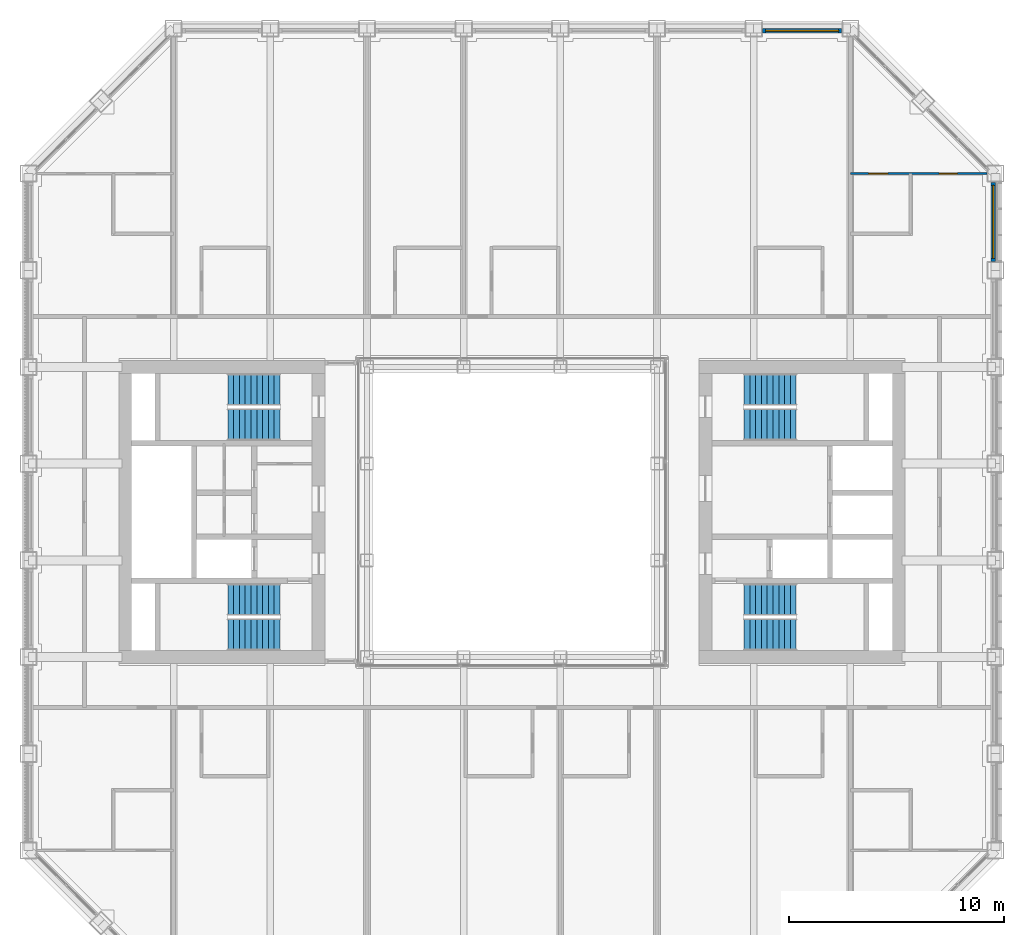
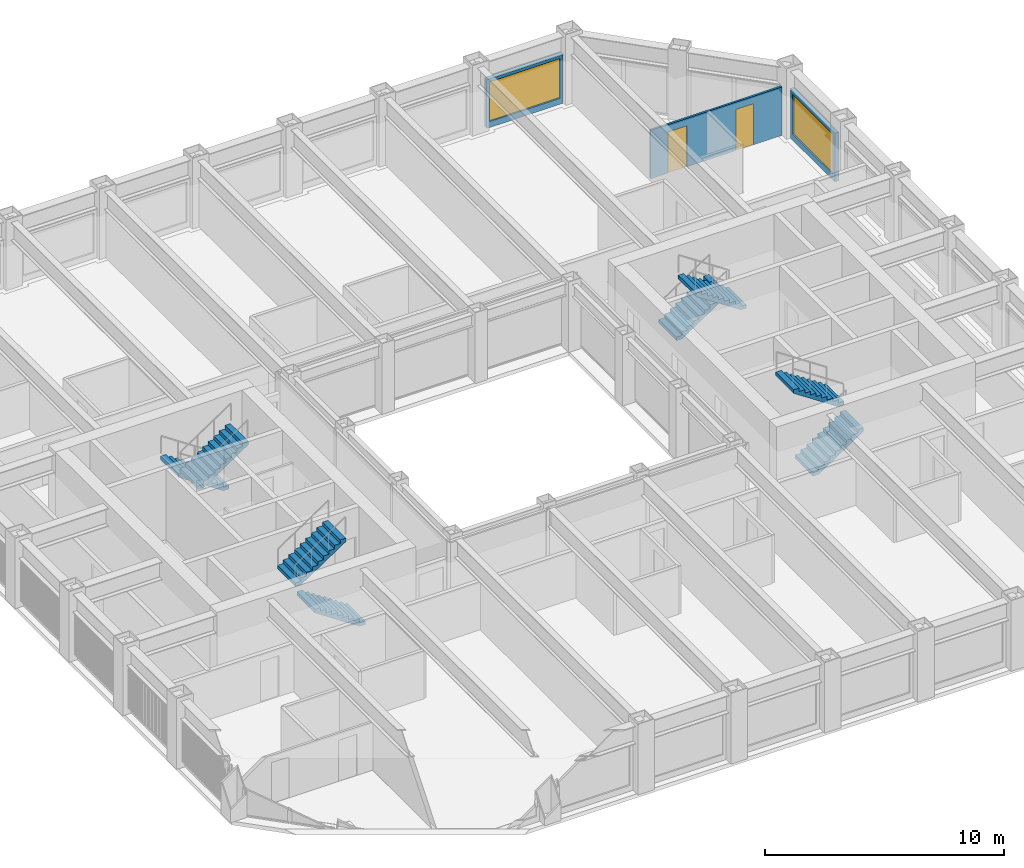
# One storey, part 14 of 17: 8 stair flights, 3 walls, 2 doors, 2 windows, 4 openings, 4 elements without a shape of their own.
"""IFC4 building model written with IfcOpenShell, lengths in metres."""

from ifc_helpers import new_model, si_unit, direction, frame, frame_2d, origin, place, context, subcontext, project, spatial, polyline, rectangle, outline, extrude, material, layer, layer_set, type_object, element, fill, aggregate, save


model = new_model("IFC4")

# Units and contexts
model_context = context("Model", 3, precision=1e-05, world=origin(), true_north=direction((0.0, 1.0)))
body_context = subcontext(model_context, "Body", "Model", "MODEL_VIEW")
ifc_project = project(units=[si_unit("LENGTHUNIT", "METRE"), si_unit("AREAUNIT", "SQUARE_METRE"), si_unit("VOLUMEUNIT", "CUBIC_METRE"), si_unit("PLANEANGLEUNIT", "RADIAN"), si_unit("MASSUNIT", "GRAM", prefix="KILO")], contexts=[model_context])

# Site, building, storey
site_placement = place(None, origin())
site = spatial("IfcSite", under=ifc_project, at=site_placement, CompositionType="ELEMENT")
building_placement = place(site_placement, origin())
building = spatial("IfcBuilding", under=site, at=building_placement, Name="Msasa Ring Tower", CompositionType="ELEMENT")
storey_placement = place(building_placement, frame((0.0, 0.0, 168.800048828125)))
storey = spatial("IfcBuildingStorey", under=building, at=storey_placement, Name="L44", CompositionType="ELEMENT", Elevation=168.800048828125)

# Wall, opening, window
ifc_material_1 = material(Name="Terracotta rainscreen on blockwork", Category="masonry")
ifc_layer_1 = layer(ifc_material_1, 0.199951171875)
ifc_layer_set_1 = layer_set([ifc_layer_1], Name="FW1 TERRACOTTA-LINED INFILL BAY WALL 200")
wall_type_1 = type_object("IfcWallType", Name="FW1 TERRACOTTA-LINED INFILL BAY WALL 200", PredefinedType="SOLIDWALL", material=ifc_layer_set_1)
wall_1_placement = place(storey_placement, frame((22.39990234375, 11.655029296875, 0.0), z_axis=(0.0, 0.0, 1.0), x_axis=(0.0, 1.0, 0.0)))
wall_1 = element("IfcWall", 1, at=wall_1_placement, inside=storey, type_object=wall_type_1, Name="Infill bay wall E L44 15", PredefinedType="SOLIDWALL", context=body_context, shape_type="SweptSolid", body=[
    extrude(rectangle(XDim=3.68994140625, YDim=0.199951171875, at=frame_2d((1.844970703125, 0.0))), origin(), (0.0, 0.0, 1.0), 2.47900390625),
])
opening_1_placement = place(wall_1_placement, frame((0.14501953125, 0.0, 0.300048828125)))
opening_1 = element("IfcOpeningElement", 2, at=opening_1_placement, cuts=wall_1, Name="Opening WN2", PredefinedType="OPENING", context=body_context, shape_type="SweptSolid", body=[
    extrude(rectangle(XDim=3.39990234375, YDim=2.029052734375, at=frame_2d((1.699951171875, 1.0146484375))), frame((0.0, 0.10986328125, 0.0), z_axis=(0.0, -1.0, 0.0), x_axis=(1.0, 0.0, 0.0)), (0.0, 0.0, 1.0), 0.219970703125),
])
ifc_material_2 = material(Name="Aluminium frame with clear glass", Category="aluminium")
window_type = type_object("IfcWindowType", Name="WN2 GUEST ROOM WINDOW 3400x2029", PartitioningType="SINGLE_PANEL", PredefinedType="WINDOW", material=ifc_material_2)
window_1_placement = place(opening_1_placement, origin())
window_1 = element("IfcWindow", 3, at=window_1_placement, inside=storey, type_object=window_type, Name="Window E L44 15", OverallHeight=2.029052734375, OverallWidth=3.39990234375, PartitioningType="SINGLE_PANEL", PredefinedType="WINDOW", context=body_context, shape_type="SweptSolid", body=[
    extrude(rectangle(XDim=3.39990234375, YDim=2.029052734375, at=frame_2d((1.699951171875, 1.0146484375))), frame((0.0, 0.030029296875, 0.0), z_axis=(0.0, -1.0, 0.0), x_axis=(1.0, 0.0, 0.0)), (0.0, 0.0, 1.0), 0.06005859375),
])
fill(opening_1, window_1)

wall_2_placement = place(storey_placement, frame((11.655029296875, 22.39990234375, 0.0), z_axis=(0.0, 0.0, 1.0), x_axis=(1.0, 0.0, 0.0)))
wall_2 = element("IfcWall", 4, at=wall_2_placement, inside=storey, type_object=wall_type_1, Name="Infill bay wall N L44 24", PredefinedType="SOLIDWALL", context=body_context, shape_type="SweptSolid", body=[
    extrude(rectangle(XDim=3.68994140625, YDim=0.199951171875, at=frame_2d((1.844970703125, 0.0))), origin(), (0.0, 0.0, 1.0), 2.47900390625),
])
opening_2_placement = place(wall_2_placement, frame((0.14501953125, 0.0, 0.300048828125)))
opening_2 = element("IfcOpeningElement", 5, at=opening_2_placement, cuts=wall_2, Name="Opening WN2", PredefinedType="OPENING", context=body_context, shape_type="SweptSolid", body=[
    extrude(rectangle(XDim=3.39990234375, YDim=2.029052734375, at=frame_2d((1.699951171875, 1.0146484375))), frame((0.0, 0.10986328125, 0.0), z_axis=(0.0, -1.0, 0.0), x_axis=(1.0, 0.0, 0.0)), (0.0, 0.0, 1.0), 0.219970703125),
])
window_2_placement = place(opening_2_placement, origin())
window_2 = element("IfcWindow", 6, at=window_2_placement, inside=storey, type_object=window_type, Name="Window N L44 24", OverallHeight=2.029052734375, OverallWidth=3.39990234375, PartitioningType="SINGLE_PANEL", PredefinedType="WINDOW", context=body_context, shape_type="SweptSolid", body=[
    extrude(rectangle(XDim=3.39990234375, YDim=2.029052734375, at=frame_2d((1.699951171875, 1.0146484375))), frame((0.0, 0.030029296875, 0.0), z_axis=(0.0, -1.0, 0.0), x_axis=(1.0, 0.0, 0.0)), (0.0, 0.0, 1.0), 0.06005859375),
])
fill(opening_2, window_2)

# Wall, openings, doors
ifc_material_3 = material(Name="Gypsum board on steel studs", Category="steel")
ifc_layer_2 = layer(ifc_material_3, 0.10009765625)
ifc_layer_set_2 = layer_set([ifc_layer_2], Name="PT2 STUD PARTITION 100")
wall_type_2 = type_object("IfcWallType", Name="PT2 STUD PARTITION 100", PredefinedType="PARTITIONING", material=ifc_layer_set_2)
wall_3_placement = place(storey_placement, frame((15.75, 15.75, 0.0), z_axis=(0.0, 0.0, 1.0), x_axis=(1.0, 0.0, 0.0)))
wall_3 = element("IfcWall", 7, at=wall_3_placement, inside=storey, type_object=wall_type_2, Name="Partition L44-CSNEX", PredefinedType="PARTITIONING", context=body_context, shape_type="SweptSolid", body=[
    extrude(rectangle(XDim=6.35009765625, YDim=0.10009765625, at=frame_2d((3.175048828125, 0.0))), origin(), (0.0, 0.0, 1.0), 2.473388671875),
])
opening_3_placement = place(wall_3_placement, frame((4.125, 0.0, 0.0)))
opening_3 = element("IfcOpeningElement", 8, at=opening_3_placement, cuts=wall_3, Name="Opening HE-004", PredefinedType="OPENING", context=body_context, shape_type="SweptSolid", body=[
    extrude(rectangle(XDim=0.85009765625, YDim=2.10009765625, at=frame_2d((0.425048828125, 1.050048828125))), frame((0.0, 0.06005859375, 0.0), z_axis=(0.0, -1.0, 0.0), x_axis=(1.0, 0.0, 0.0)), (0.0, 0.0, 1.0), 0.1201171875),
])
opening_4_placement = place(wall_3_placement, frame((0.85009765625, 0.0, 0.0)))
opening_4 = element("IfcOpeningElement", 9, at=opening_4_placement, cuts=wall_3, Name="Opening HE-003", PredefinedType="OPENING", context=body_context, shape_type="SweptSolid", body=[
    extrude(rectangle(XDim=0.89990234375, YDim=2.10009765625, at=frame_2d((0.449951171875, 1.050048828125))), frame((0.0, 0.06005859375, 0.0), z_axis=(0.0, -1.0, 0.0), x_axis=(1.0, 0.0, 0.0)), (0.0, 0.0, 1.0), 0.1201171875),
])
ifc_material_4 = material(Name="Timber door leaf in a steel frame", Category="steel")
door_type_1 = type_object("IfcDoorType", Name="D14 BEDROOM DOOR 850x2100", OperationType="SINGLE_SWING_LEFT", PredefinedType="DOOR", material=ifc_material_4)
door_1_placement = place(opening_3_placement, origin())
door_1 = element("IfcDoor", 10, at=door_1_placement, inside=storey, type_object=door_type_1, Name="Door L44-CSNER1", OperationType="SINGLE_SWING_RIGHT", OverallHeight=2.10009765625, OverallWidth=0.85009765625, PredefinedType="DOOR", context=body_context, shape_type="SweptSolid", body=[
    extrude(rectangle(XDim=0.85009765625, YDim=2.10009765625, at=frame_2d((0.425048828125, 1.050048828125))), frame((0.0, 0.02490234375, 0.0), z_axis=(0.0, -1.0, 0.0), x_axis=(1.0, 0.0, 0.0)), (0.0, 0.0, 1.0), 0.050048828125),
])
fill(opening_3, door_1)
ifc_material_5 = material(Name="Timber door leaf in a steel frame", Category="steel")
door_type_2 = type_object("IfcDoorType", Name="D3 BATHROOM DOOR 900x2100", OperationType="SINGLE_SWING_LEFT", PredefinedType="DOOR", material=ifc_material_5)
door_2_placement = place(opening_4_placement, origin())
door_2 = element("IfcDoor", 11, at=door_2_placement, inside=storey, type_object=door_type_2, Name="Door L44-CSNEB1", OperationType="SINGLE_SWING_LEFT", OverallHeight=2.10009765625, OverallWidth=0.89990234375, PredefinedType="DOOR", context=body_context, shape_type="SweptSolid", body=[
    extrude(rectangle(XDim=0.89990234375, YDim=2.10009765625, at=frame_2d((0.449951171875, 1.050048828125))), frame((0.0, 0.02490234375, 0.0), z_axis=(0.0, -1.0, 0.0), x_axis=(1.0, 0.0, 0.0)), (0.0, 0.0, 1.0), 0.050048828125),
])
fill(opening_4, door_2)

# Stair, stair flights
ifc_material_6 = material(Name="Concrete C40/50", Category="concrete")
stair_type = type_object("IfcStairType", Name="STC CORE STAIR 20 RISERS 180", PredefinedType="HALF_TURN_STAIR", material=ifc_material_6)
stair_1_placement = place(storey_placement, origin())
stair_1 = element("IfcStair", 12, at=stair_1_placement, inside=storey, type_object=stair_type, Name="Core stair SEA L44", PredefinedType="HALF_TURN_STAIR")
ifc_material_7 = material(Name="Concrete C40/50", Category="concrete")
stair_flight_type = type_object("IfcStairFlightType", Name="ST14 CORE STAIR FLIGHT 1500 10 RISERS 180", PredefinedType="STRAIGHT", material=ifc_material_7)
stair_flight_1_placement = place(storey_placement, frame((10.800048828125, -5.699951171875, 0.0), z_axis=(0.0, 0.0, 1.0), x_axis=(1.0, 0.0, 0.0)))
stair_flight_1 = element("IfcStairFlight", 13, at=stair_flight_1_placement, type_object=stair_flight_type, Name="SEA flight 1", NumberOfRisers=10, NumberOfTreads=9, PredefinedType="STRAIGHT", RiserHeight=0.18, TreadLength=0.27, context=body_context, shape_type="SweptSolid", body=[
    extrude(outline(polyline([(0.0, 0.0), (0.0, 0.179931640625), (0.27001953125, 0.179931640625), (0.27001953125, 0.360107421875), (0.5400390625, 0.360107421875), (0.5400390625, 0.5400390625), (0.81005859375, 0.5400390625), (0.81005859375, 0.719970703125), (1.080078125, 0.719970703125), (1.080078125, 0.89990234375), (1.35009765625, 0.89990234375), (1.35009765625, 1.080078125), (1.6201171875, 1.080078125), (1.6201171875, 1.260009765625), (1.889892578125, 1.260009765625), (1.889892578125, 1.43994140625), (2.159912109375, 1.43994140625), (2.159912109375, 1.6201171875), (2.429931640625, 1.6201171875), (2.429931640625, 1.800048828125), (2.429931640625, 1.43994140625), (0.270263671875, 0.0), (0.0, 0.0)])), frame((0.0, 0.75, 0.0), z_axis=(0.0, -1.0, 0.0), x_axis=(1.0, 0.0, 0.0)), (0.0, 0.0, 1.0), 1.5),
])
stair_flight_2_placement = place(storey_placement, frame((13.22998046875, -4.074951171875, 1.800048828125), z_axis=(0.0, 0.0, 1.0), x_axis=(-1.0, 0.0, 0.0)))
stair_flight_2 = element("IfcStairFlight", 14, at=stair_flight_2_placement, type_object=stair_flight_type, Name="SEA flight 2", NumberOfRisers=10, NumberOfTreads=9, PredefinedType="STRAIGHT", RiserHeight=0.18, TreadLength=0.27, context=body_context, shape_type="SweptSolid", body=[
    extrude(outline(polyline([(0.0, 0.0), (0.0, 0.179931640625), (0.27001953125, 0.179931640625), (0.27001953125, 0.360107421875), (0.5400390625, 0.360107421875), (0.5400390625, 0.5400390625), (0.81005859375, 0.5400390625), (0.81005859375, 0.719970703125), (1.080078125, 0.719970703125), (1.080078125, 0.89990234375), (1.35009765625, 0.89990234375), (1.35009765625, 1.080078125), (1.6201171875, 1.080078125), (1.6201171875, 1.260009765625), (1.889892578125, 1.260009765625), (1.889892578125, 1.43994140625), (2.159912109375, 1.43994140625), (2.159912109375, 1.6201171875), (2.429931640625, 1.6201171875), (2.429931640625, 1.800048828125), (2.429931640625, 1.43994140625), (0.270263671875, 0.0), (0.0, 0.0)])), frame((0.0, 0.75, 0.0), z_axis=(0.0, -1.0, 0.0), x_axis=(1.0, 0.0, 0.0)), (0.0, 0.0, 1.0), 1.5),
])
aggregate(stair_1, [stair_flight_1, stair_flight_2])

stair_2_placement = place(storey_placement, origin())
stair_2 = element("IfcStair", 15, at=stair_2_placement, inside=storey, type_object=stair_type, Name="Core stair SEB L44", PredefinedType="HALF_TURN_STAIR")
stair_flight_3_placement = place(storey_placement, frame((10.800048828125, 5.699951171875, 0.0), z_axis=(0.0, 0.0, 1.0), x_axis=(1.0, 0.0, 0.0)))
stair_flight_3 = element("IfcStairFlight", 16, at=stair_flight_3_placement, type_object=stair_flight_type, Name="SEB flight 1", NumberOfRisers=10, NumberOfTreads=9, PredefinedType="STRAIGHT", RiserHeight=0.18, TreadLength=0.27, context=body_context, shape_type="SweptSolid", body=[
    extrude(outline(polyline([(0.0, 0.0), (0.0, 0.179931640625), (0.27001953125, 0.179931640625), (0.27001953125, 0.360107421875), (0.5400390625, 0.360107421875), (0.5400390625, 0.5400390625), (0.81005859375, 0.5400390625), (0.81005859375, 0.719970703125), (1.080078125, 0.719970703125), (1.080078125, 0.89990234375), (1.35009765625, 0.89990234375), (1.35009765625, 1.080078125), (1.6201171875, 1.080078125), (1.6201171875, 1.260009765625), (1.889892578125, 1.260009765625), (1.889892578125, 1.43994140625), (2.159912109375, 1.43994140625), (2.159912109375, 1.6201171875), (2.429931640625, 1.6201171875), (2.429931640625, 1.800048828125), (2.429931640625, 1.43994140625), (0.270263671875, 0.0), (0.0, 0.0)])), frame((0.0, 0.75, 0.0), z_axis=(0.0, -1.0, 0.0), x_axis=(1.0, 0.0, 0.0)), (0.0, 0.0, 1.0), 1.5),
])
stair_flight_4_placement = place(storey_placement, frame((13.22998046875, 4.074951171875, 1.800048828125), z_axis=(0.0, 0.0, 1.0), x_axis=(-1.0, 0.0, 0.0)))
stair_flight_4 = element("IfcStairFlight", 17, at=stair_flight_4_placement, type_object=stair_flight_type, Name="SEB flight 2", NumberOfRisers=10, NumberOfTreads=9, PredefinedType="STRAIGHT", RiserHeight=0.18, TreadLength=0.27, context=body_context, shape_type="SweptSolid", body=[
    extrude(outline(polyline([(0.0, 0.0), (0.0, 0.179931640625), (0.27001953125, 0.179931640625), (0.27001953125, 0.360107421875), (0.5400390625, 0.360107421875), (0.5400390625, 0.5400390625), (0.81005859375, 0.5400390625), (0.81005859375, 0.719970703125), (1.080078125, 0.719970703125), (1.080078125, 0.89990234375), (1.35009765625, 0.89990234375), (1.35009765625, 1.080078125), (1.6201171875, 1.080078125), (1.6201171875, 1.260009765625), (1.889892578125, 1.260009765625), (1.889892578125, 1.43994140625), (2.159912109375, 1.43994140625), (2.159912109375, 1.6201171875), (2.429931640625, 1.6201171875), (2.429931640625, 1.800048828125), (2.429931640625, 1.43994140625), (0.270263671875, 0.0), (0.0, 0.0)])), frame((0.0, 0.75, 0.0), z_axis=(0.0, -1.0, 0.0), x_axis=(1.0, 0.0, 0.0)), (0.0, 0.0, 1.0), 1.5),
])
aggregate(stair_2, [stair_flight_3, stair_flight_4])

stair_3_placement = place(storey_placement, origin())
stair_3 = element("IfcStair", 18, at=stair_3_placement, inside=storey, type_object=stair_type, Name="Core stair SWA L44", PredefinedType="HALF_TURN_STAIR")
stair_flight_5_placement = place(storey_placement, frame((-10.800048828125, -5.699951171875, 0.0), z_axis=(0.0, 0.0, 1.0), x_axis=(-1.0, 0.0, 0.0)))
stair_flight_5 = element("IfcStairFlight", 19, at=stair_flight_5_placement, type_object=stair_flight_type, Name="SWA flight 1", NumberOfRisers=10, NumberOfTreads=9, PredefinedType="STRAIGHT", RiserHeight=0.18, TreadLength=0.27, context=body_context, shape_type="SweptSolid", body=[
    extrude(outline(polyline([(0.0, 0.0), (0.0, 0.179931640625), (0.27001953125, 0.179931640625), (0.27001953125, 0.360107421875), (0.5400390625, 0.360107421875), (0.5400390625, 0.5400390625), (0.81005859375, 0.5400390625), (0.81005859375, 0.719970703125), (1.080078125, 0.719970703125), (1.080078125, 0.89990234375), (1.35009765625, 0.89990234375), (1.35009765625, 1.080078125), (1.6201171875, 1.080078125), (1.6201171875, 1.260009765625), (1.889892578125, 1.260009765625), (1.889892578125, 1.43994140625), (2.159912109375, 1.43994140625), (2.159912109375, 1.6201171875), (2.429931640625, 1.6201171875), (2.429931640625, 1.800048828125), (2.429931640625, 1.43994140625), (0.270263671875, 0.0), (0.0, 0.0)])), frame((0.0, 0.75, 0.0), z_axis=(0.0, -1.0, 0.0), x_axis=(1.0, 0.0, 0.0)), (0.0, 0.0, 1.0), 1.5),
])
stair_flight_6_placement = place(storey_placement, frame((-13.22998046875, -4.074951171875, 1.800048828125), z_axis=(0.0, 0.0, 1.0), x_axis=(1.0, 0.0, 0.0)))
stair_flight_6 = element("IfcStairFlight", 20, at=stair_flight_6_placement, type_object=stair_flight_type, Name="SWA flight 2", NumberOfRisers=10, NumberOfTreads=9, PredefinedType="STRAIGHT", RiserHeight=0.18, TreadLength=0.27, context=body_context, shape_type="SweptSolid", body=[
    extrude(outline(polyline([(0.0, 0.0), (0.0, 0.179931640625), (0.27001953125, 0.179931640625), (0.27001953125, 0.360107421875), (0.5400390625, 0.360107421875), (0.5400390625, 0.5400390625), (0.81005859375, 0.5400390625), (0.81005859375, 0.719970703125), (1.080078125, 0.719970703125), (1.080078125, 0.89990234375), (1.35009765625, 0.89990234375), (1.35009765625, 1.080078125), (1.6201171875, 1.080078125), (1.6201171875, 1.260009765625), (1.889892578125, 1.260009765625), (1.889892578125, 1.43994140625), (2.159912109375, 1.43994140625), (2.159912109375, 1.6201171875), (2.429931640625, 1.6201171875), (2.429931640625, 1.800048828125), (2.429931640625, 1.43994140625), (0.270263671875, 0.0), (0.0, 0.0)])), frame((0.0, 0.75, 0.0), z_axis=(0.0, -1.0, 0.0), x_axis=(1.0, 0.0, 0.0)), (0.0, 0.0, 1.0), 1.5),
])
aggregate(stair_3, [stair_flight_5, stair_flight_6])

stair_4_placement = place(storey_placement, origin())
stair_4 = element("IfcStair", 21, at=stair_4_placement, inside=storey, type_object=stair_type, Name="Core stair SWB L44", PredefinedType="HALF_TURN_STAIR")
stair_flight_7_placement = place(storey_placement, frame((-10.800048828125, 5.699951171875, 0.0), z_axis=(0.0, 0.0, 1.0), x_axis=(-1.0, 0.0, 0.0)))
stair_flight_7 = element("IfcStairFlight", 22, at=stair_flight_7_placement, type_object=stair_flight_type, Name="SWB flight 1", NumberOfRisers=10, NumberOfTreads=9, PredefinedType="STRAIGHT", RiserHeight=0.18, TreadLength=0.27, context=body_context, shape_type="SweptSolid", body=[
    extrude(outline(polyline([(0.0, 0.0), (0.0, 0.179931640625), (0.27001953125, 0.179931640625), (0.27001953125, 0.360107421875), (0.5400390625, 0.360107421875), (0.5400390625, 0.5400390625), (0.81005859375, 0.5400390625), (0.81005859375, 0.719970703125), (1.080078125, 0.719970703125), (1.080078125, 0.89990234375), (1.35009765625, 0.89990234375), (1.35009765625, 1.080078125), (1.6201171875, 1.080078125), (1.6201171875, 1.260009765625), (1.889892578125, 1.260009765625), (1.889892578125, 1.43994140625), (2.159912109375, 1.43994140625), (2.159912109375, 1.6201171875), (2.429931640625, 1.6201171875), (2.429931640625, 1.800048828125), (2.429931640625, 1.43994140625), (0.270263671875, 0.0), (0.0, 0.0)])), frame((0.0, 0.75, 0.0), z_axis=(0.0, -1.0, 0.0), x_axis=(1.0, 0.0, 0.0)), (0.0, 0.0, 1.0), 1.5),
])
stair_flight_8_placement = place(storey_placement, frame((-13.22998046875, 4.074951171875, 1.800048828125), z_axis=(0.0, 0.0, 1.0), x_axis=(1.0, 0.0, 0.0)))
stair_flight_8 = element("IfcStairFlight", 23, at=stair_flight_8_placement, type_object=stair_flight_type, Name="SWB flight 2", NumberOfRisers=10, NumberOfTreads=9, PredefinedType="STRAIGHT", RiserHeight=0.18, TreadLength=0.27, context=body_context, shape_type="SweptSolid", body=[
    extrude(outline(polyline([(0.0, 0.0), (0.0, 0.179931640625), (0.27001953125, 0.179931640625), (0.27001953125, 0.360107421875), (0.5400390625, 0.360107421875), (0.5400390625, 0.5400390625), (0.81005859375, 0.5400390625), (0.81005859375, 0.719970703125), (1.080078125, 0.719970703125), (1.080078125, 0.89990234375), (1.35009765625, 0.89990234375), (1.35009765625, 1.080078125), (1.6201171875, 1.080078125), (1.6201171875, 1.260009765625), (1.889892578125, 1.260009765625), (1.889892578125, 1.43994140625), (2.159912109375, 1.43994140625), (2.159912109375, 1.6201171875), (2.429931640625, 1.6201171875), (2.429931640625, 1.800048828125), (2.429931640625, 1.43994140625), (0.270263671875, 0.0), (0.0, 0.0)])), frame((0.0, 0.75, 0.0), z_axis=(0.0, -1.0, 0.0), x_axis=(1.0, 0.0, 0.0)), (0.0, 0.0, 1.0), 1.5),
])
aggregate(stair_4, [stair_flight_7, stair_flight_8])

save(model, "model.ifc")
